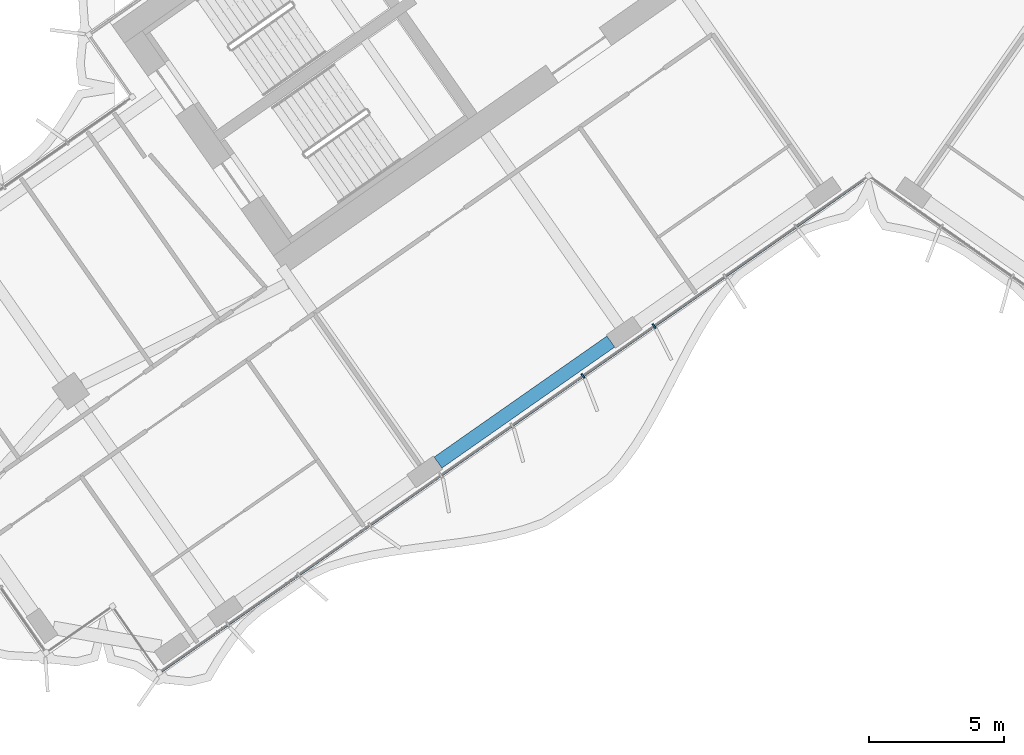
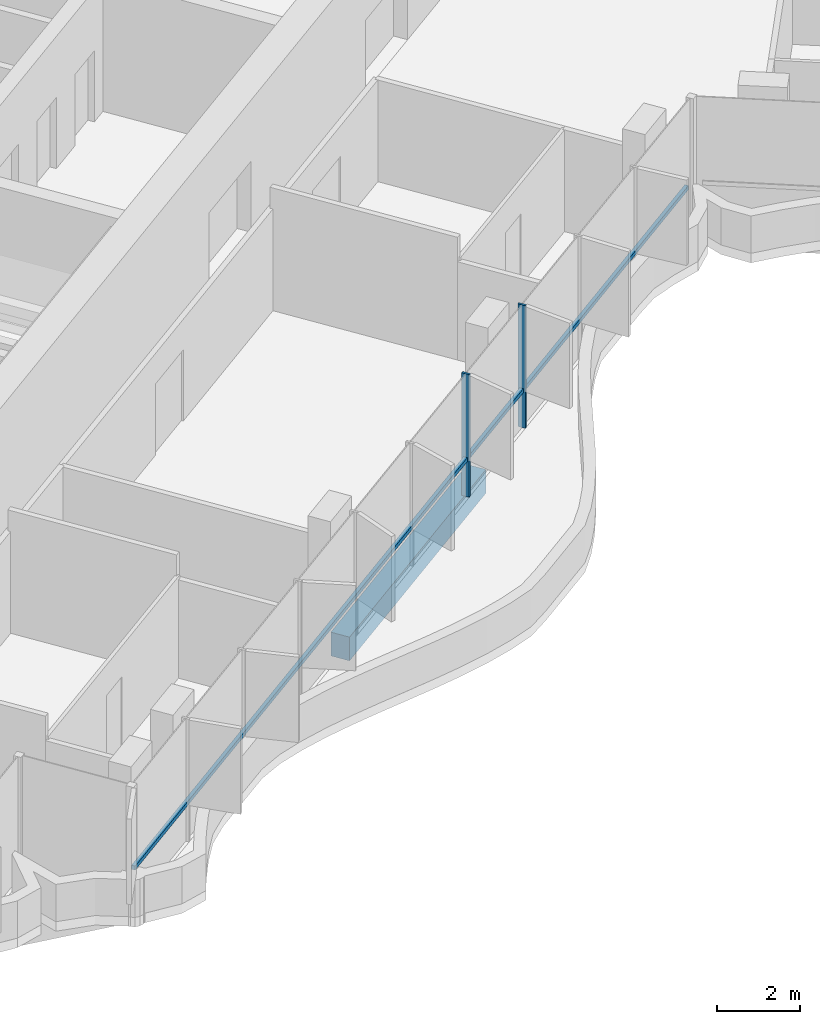
# One storey, part 3 of 23: 3 members, 1 beam, 1 element without a shape of its own.
"""IFC4 building model written with IfcOpenShell, lengths in metres."""

from ifc_helpers import new_model, si_unit, direction, frame, origin, origin_2d, place, context, subcontext, project, spatial, rectangle, extrude, material, material_profile, profile_set, type_object, element, aggregate, save


model = new_model("IFC4")

# Units and contexts
model_context = context("Model", 3, precision=1e-05, world=origin(), true_north=direction((0.0, 1.0)))
body_context = subcontext(model_context, "Body", "Model", "MODEL_VIEW")
ifc_project = project(units=[si_unit("LENGTHUNIT", "METRE"), si_unit("AREAUNIT", "SQUARE_METRE"), si_unit("VOLUMEUNIT", "CUBIC_METRE"), si_unit("PLANEANGLEUNIT", "RADIAN"), si_unit("MASSUNIT", "GRAM", prefix="KILO")], contexts=[model_context])

# Site, building, storey
site_placement = place(None, origin())
site = spatial("IfcSite", under=ifc_project, at=site_placement, CompositionType="ELEMENT")
building_placement = place(site_placement, origin())
building = spatial("IfcBuilding", under=site, at=building_placement, Name="Tel Ilan Convention Tower", CompositionType="ELEMENT")
storey_placement = place(building_placement, frame((0.0, 0.0, 171.0)))
storey = spatial("IfcBuildingStorey", under=building, at=storey_placement, Name="L39", CompositionType="ELEMENT", Elevation=171.0)

# Beam
ifc_material_1 = material(Name="Concrete C40/50", Category="concrete")
ifc_material_profile_1 = material_profile(ifc_material_1, rectangle(XDim=0.5, YDim=0.699951171875, at=origin_2d()), Name="RC 500x700")
ifc_profile_set_1 = profile_set([ifc_material_profile_1], Name="Concrete C40/50")
beam_type = type_object("IfcBeamType", Name="Beam RC 500x700 Concrete C40/50", PredefinedType="BEAM", material=ifc_profile_set_1)
beam_placement = place(storey_placement, frame((-9.529052734375, -18.819091796875, -0.6298828125), z_axis=(-0.819153977895, -0.573573674866, 0.0), x_axis=(0.573573674866, -0.819153977895, 0.0)))
element("IfcBeam", 1, at=beam_placement, inside=storey, type_object=beam_type, Name="L39 beam W-W-F2-W-F3", PredefinedType="BEAM", context=body_context, shape_type="SweptSolid", body=[
    extrude(rectangle(XDim=0.5, YDim=0.699951171875, at=origin_2d()), origin(), (0.0, 0.0, 1.0), 7.800048828125),
])

# Curtain wall, members
ifc_material_2 = material(Name="Aluminium, bronze anodised", Category="aluminium")
curtain_wall_type = type_object("IfcCurtainWallType", Name="CW4 STICK CURTAIN WALL, OFFICE TINTED GLASS", PredefinedType="NOTDEFINED", material=ifc_material_2)
curtain_wall_placement = place(storey_placement, origin())
curtain_wall = element("IfcCurtainWall", 2, at=curtain_wall_placement, inside=storey, type_object=curtain_wall_type, Name="Curtain wall CW4-31.02", PredefinedType="NOTDEFINED")
ifc_material_3 = material(Name="Aluminium, bronze anodised", Category="aluminium")
ifc_material_profile_2 = material_profile(ifc_material_3, rectangle(XDim=0.06005859375, YDim=0.199951171875, at=origin_2d()), Name="CW MULLION 60x200")
ifc_profile_set_2 = profile_set([ifc_material_profile_2], Name="Aluminium, bronze anodised")
member_type_1 = type_object("IfcMemberType", Name="CW MULLION 60x200", PredefinedType="MULLION", material=ifc_profile_set_2)
member_1_placement = place(storey_placement, frame((-10.55810546875, -20.0888671875, 0.0), z_axis=(0.0, 0.0, 1.0), x_axis=(0.819152044289, 0.573576436351, 0.0)))
member_1 = element("IfcMember", 3, at=member_1_placement, type_object=member_type_1, Name="Mullion", PredefinedType="MULLION", context=body_context, shape_type="SweptSolid", body=[
    extrude(rectangle(XDim=0.06005859375, YDim=0.199951171875, at=origin_2d()), origin(), (0.0, 0.0, 1.0), 3.6201171875),
])
member_2_placement = place(storey_placement, frame((-7.932861328125, -18.250732421875, 0.0), z_axis=(0.0, 0.0, 1.0), x_axis=(0.819152044289, 0.573576436351, 0.0)))
member_2 = element("IfcMember", 4, at=member_2_placement, type_object=member_type_1, Name="Mullion", PredefinedType="MULLION", context=body_context, shape_type="SweptSolid", body=[
    extrude(rectangle(XDim=0.06005859375, YDim=0.199951171875, at=origin_2d()), origin(), (0.0, 0.0, 1.0), 3.6201171875),
])
ifc_material_4 = material(Name="Aluminium, bronze anodised", Category="aluminium")
ifc_material_profile_3 = material_profile(ifc_material_4, rectangle(XDim=0.10009765625, YDim=0.1201171875, at=origin_2d()), Name="CW TRANSOM 100x120")
ifc_profile_set_3 = profile_set([ifc_material_profile_3], Name="Aluminium, bronze anodised")
member_type_2 = type_object("IfcMemberType", Name="CW TRANSOM 100x120", PredefinedType="USERDEFINED", material=ifc_profile_set_3)
member_3_placement = place(storey_placement, frame((-26.1455078125, -31.00341796875, 1.10009765625), z_axis=(0.819149281128, 0.573580382534, 0.0), x_axis=(-0.573580382534, 0.819149281128, 0.0)))
member_3 = element("IfcMember", 5, at=member_3_placement, type_object=member_type_2, Name="Transom", ObjectType="TRANSOM", PredefinedType="USERDEFINED", context=body_context, shape_type="SweptSolid", body=[
    extrude(rectangle(XDim=0.10009765625, YDim=0.1201171875, at=origin_2d()), origin(), (0.0, 0.0, 1.0), 31.64794921875),
])
aggregate(curtain_wall, [member_1, member_2, member_3])

save(model, "model.ifc")
